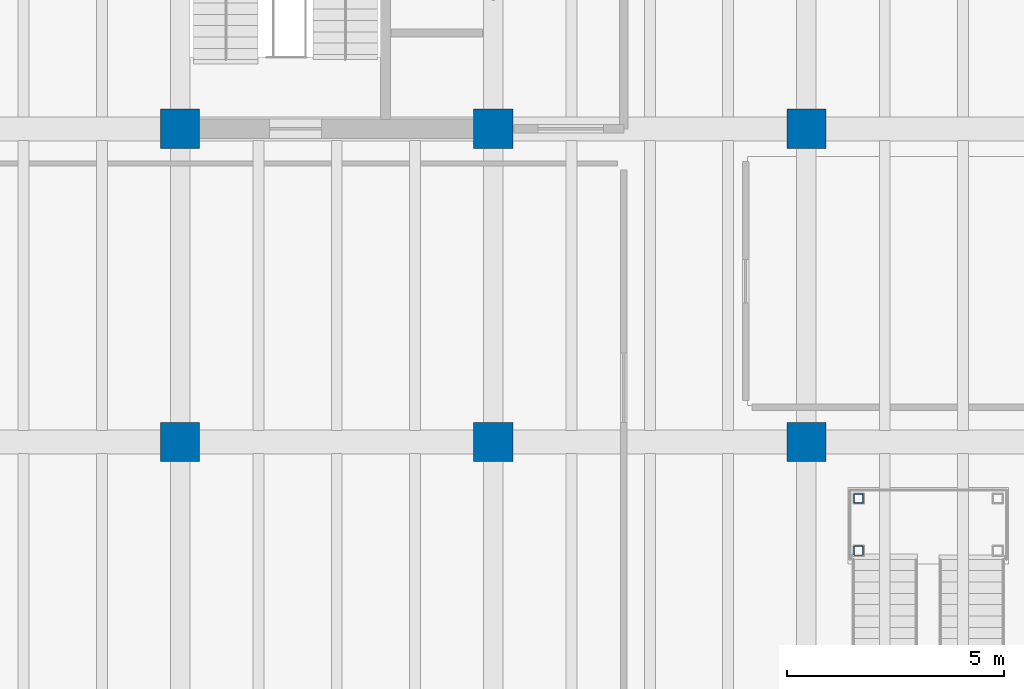
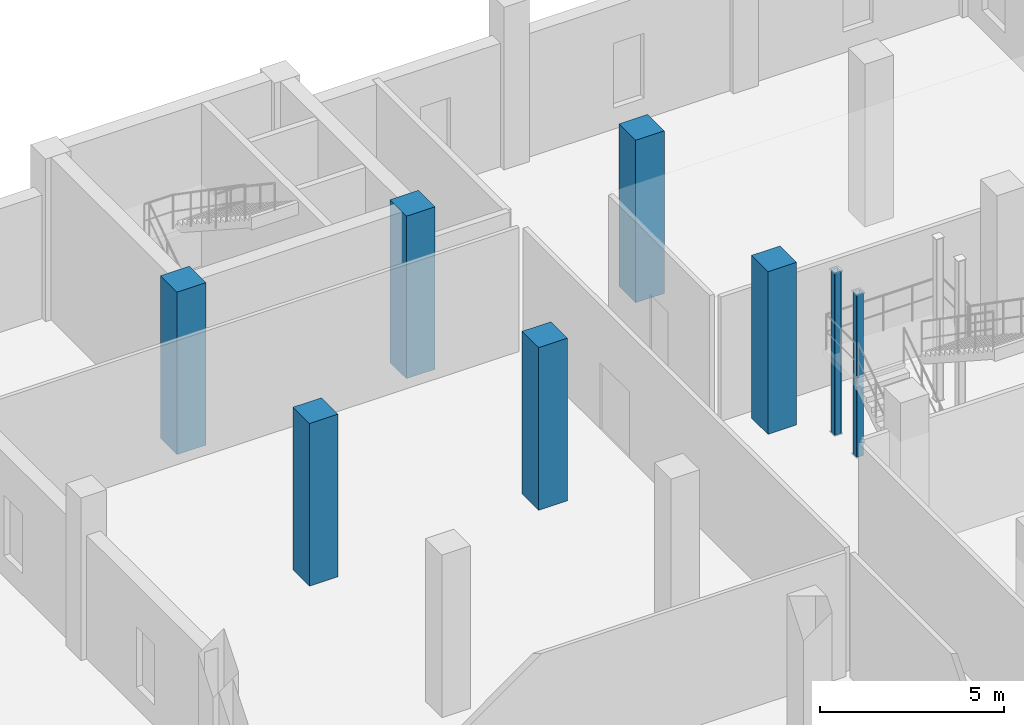
# One storey, part 15 of 79: 8 columns.
"""IFC4 building model written with IfcOpenShell, lengths in metres."""

from ifc_helpers import new_model, si_unit, direction, frame, origin, origin_2d, place, context, subcontext, project, spatial, rectangle, hollow_rectangle, extrude, material, material_profile, profile_set, type_object, element, save


model = new_model("IFC4")

# Units and contexts
model_context = context("Model", 3, precision=1e-05, world=origin(), true_north=direction((0.0, 1.0)))
body_context = subcontext(model_context, "Body", "Model", "MODEL_VIEW")
ifc_project = project(units=[si_unit("LENGTHUNIT", "METRE"), si_unit("AREAUNIT", "SQUARE_METRE"), si_unit("VOLUMEUNIT", "CUBIC_METRE"), si_unit("PLANEANGLEUNIT", "RADIAN"), si_unit("MASSUNIT", "GRAM", prefix="KILO")], contexts=[model_context])

# Site, building, storey
site_placement = place(None, origin())
site = spatial("IfcSite", under=ifc_project, at=site_placement, CompositionType="ELEMENT")
building_placement = place(site_placement, origin())
building = spatial("IfcBuilding", under=site, at=building_placement, Name="Qiaolan Assembly House", CompositionType="ELEMENT")
storey_placement = place(building_placement, origin())
storey = spatial("IfcBuildingStorey", under=building, at=storey_placement, Name="L00", CompositionType="ELEMENT", Elevation=0.0)

# Columns
ifc_material_1 = material(Name="Concrete C50/60", Category="concrete")
ifc_material_profile_1 = material_profile(ifc_material_1, rectangle(XDim=0.89990234375, YDim=0.89990234375, at=origin_2d()), Name="RC 900x900")
ifc_profile_set_1 = profile_set([ifc_material_profile_1], Name="Concrete C50/60")
column_type_1 = type_object("IfcColumnType", Name="COL-RC-900", PredefinedType="COLUMN", material=ifc_profile_set_1)
for number, where, z_axis, x_axis, name in (
    (1, (144.0, 72.0, 0.0), (0.0, 0.0, 1.0), (1.0, 0.0, 0.0), "RC-03 library column L00"),
    (2, (144.0, 79.199951171875, 0.0), (0.0, 0.0, 1.0), (1.0, 0.0, 0.0), "RC-03 library column L00"),
    (3, (151.199951171875, 72.0, 0.0), (0.0, 0.0, 1.0), (1.0, 0.0, 0.0), "RC-03 library column L00"),
    (4, (151.199951171875, 79.199951171875, 0.0), (0.0, 0.0, 1.0), (1.0, 0.0, 0.0), "RC-03 library column L00"),
    (5, (158.39990234375, 72.0, 0.0), (0.0, 0.0, 1.0), (1.0, 0.0, 0.0), "RC-03 library column L00"),
    (6, (158.39990234375, 79.199951171875, 0.0), (0.0, 0.0, 1.0), (1.0, 0.0, 0.0), "RC-03 library column L00"),
):
    element("IfcColumn", number, at=place(storey_placement, frame(where, z_axis=z_axis, x_axis=x_axis)), inside=storey, type_object=column_type_1, Name=name, PredefinedType="COLUMN", context=body_context, shape_type="SweptSolid", body=[
        extrude(rectangle(XDim=0.89990234375, YDim=0.89990234375, at=origin_2d()), origin(), (0.0, 0.0, 1.0), 5.39990234375),
    ])
ifc_material_2 = material(Name="Steel Q355B", Category="steel")
ifc_material_profile_2 = material_profile(ifc_material_2, hollow_rectangle(XDim=0.219970703125, YDim=0.219970703125, WallThickness=0.010009765625, InnerFilletRadius=0.010009765625, OuterFilletRadius=0.02001953125, at=origin_2d()), Name="SHS 220x220x10")
ifc_profile_set_2 = profile_set([ifc_material_profile_2], Name="Steel Q355B")
column_type_2 = type_object("IfcColumnType", Name="COL-STL-SHS220", PredefinedType="COLUMN", material=ifc_profile_set_2)
for number, where, z_axis, x_axis, name in (
    (7, (159.60009765625, 69.5, 0.0), (0.0, 0.0, 1.0), (1.0, 0.0, 0.0), "SC-08 library stair L00 column 1"),
    (8, (159.60009765625, 70.699951171875, 0.0), (0.0, 0.0, 1.0), (1.0, 0.0, 0.0), "SC-08 library stair L00 column 3"),
):
    element("IfcColumn", number, at=place(storey_placement, frame(where, z_axis=z_axis, x_axis=x_axis)), inside=storey, type_object=column_type_2, Name=name, PredefinedType="COLUMN", context=body_context, shape_type="SweptSolid", body=[
        extrude(hollow_rectangle(XDim=0.219970703125, YDim=0.219970703125, WallThickness=0.010009765625, InnerFilletRadius=0.010009765625, OuterFilletRadius=0.02001953125, at=origin_2d()), origin(), (0.0, 0.0, 1.0), 5.39990234375),
    ])

save(model, "model.ifc")
